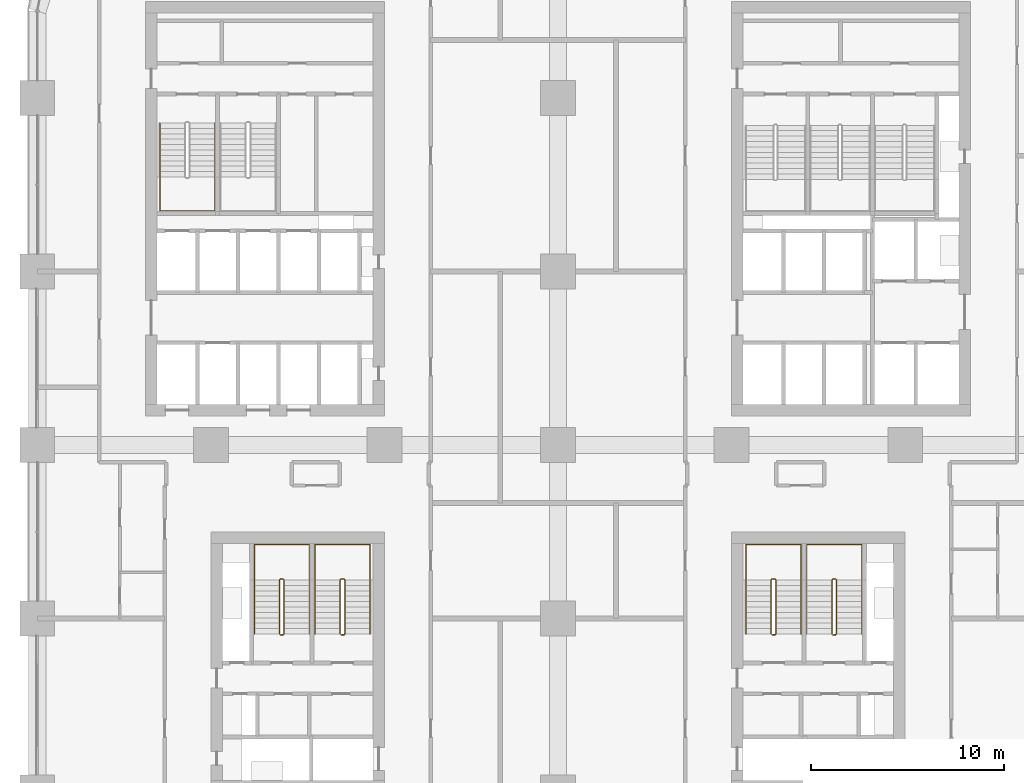
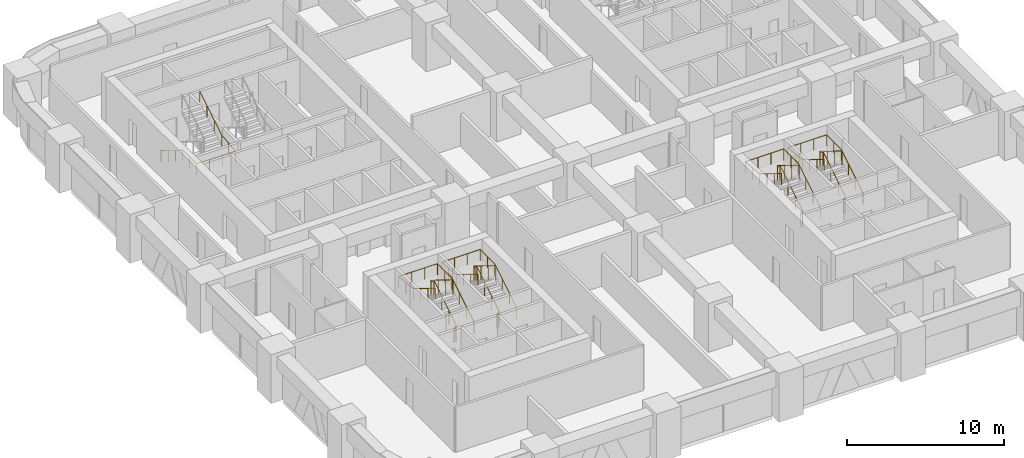
# One storey, part 20 of 21: 9 railings.
"""IFC4 building model written with IfcOpenShell, lengths in metres."""

from ifc_helpers import new_model, si_unit, direction, frame, origin, origin_2d, place, context, subcontext, project, spatial, circle, extrude, material, type_object, element, save


model = new_model("IFC4")

# Units and contexts
model_context = context("Model", 3, precision=1e-05, world=origin(), true_north=direction((0.0, 1.0)))
body_context = subcontext(model_context, "Body", "Model", "MODEL_VIEW")
ifc_project = project(units=[si_unit("LENGTHUNIT", "METRE"), si_unit("AREAUNIT", "SQUARE_METRE"), si_unit("VOLUMEUNIT", "CUBIC_METRE"), si_unit("PLANEANGLEUNIT", "RADIAN"), si_unit("MASSUNIT", "GRAM", prefix="KILO")], contexts=[model_context])

# Site, building, storey
site_placement = place(None, origin())
site = spatial("IfcSite", under=ifc_project, at=site_placement, CompositionType="ELEMENT")
building_placement = place(site_placement, origin())
building = spatial("IfcBuilding", under=site, at=building_placement, Name="Tessera Arch", CompositionType="ELEMENT")
storey_placement = place(building_placement, frame((0.0, 0.0, 65.199951171875)))
storey = spatial("IfcBuildingStorey", under=building, at=storey_placement, Name="L14", CompositionType="ELEMENT", Elevation=65.199951171875)

# Railings
ifc_material_1 = material(Name="Painted steel balustrade", Category="steel")
railing_type_1 = type_object("IfcRailingType", Name="Stair guard 1100", PredefinedType="GUARDRAIL", material=ifc_material_1)
railing_1_placement = place(storey_placement, frame((38.25, 17.14990234375, 0.0)))
element("IfcRailing", 1, at=railing_1_placement, inside=storey, type_object=railing_type_1, Name="L14 S3a stair guard 1", PredefinedType="GUARDRAIL", context=body_context, shape_type="SweptSolid", body=[
    extrude(circle(Radius=0.02392578125, at=origin_2d()), frame((0.00390625, 0.0, 1.076171875), z_axis=(-1.0, 0.0, 0.0), x_axis=(0.0, -1.0, 0.0)), (0.0, 0.0, 1.0), 0.157958984375),
    extrude(circle(Radius=0.02392578125, at=origin_2d()), frame((-0.15283203125, -0.000732421875, 1.073486328125), z_axis=(0.743302536996, 0.186052527575, 0.642561900114), x_axis=(-0.242814311512, 0.970072785993, 0.0)), (0.0, 0.0, 1.0), 0.277099609375),
    extrude(circle(Radius=0.02392578125, at=origin_2d()), frame((0.050048828125, 0.046630859375, 1.246826171875), z_axis=(0.0, 0.851089632645, 0.525020415988), x_axis=(-1.0, 0.0, 0.0)), (0.0, 0.0, 1.0), 3.2978515625),
    extrude(circle(Radius=0.02392578125, at=origin_2d()), frame((0.052978515625, 2.84716796875, 2.97607421875), z_axis=(-0.707106781187, 0.707106781187, 0.0), x_axis=(-0.707106781187, -0.707106781187, 0.0)), (0.0, 0.0, 1.0), 0.078857421875),
    extrude(circle(Radius=0.02392578125, at=origin_2d()), frame((0.00390625, 2.900146484375, 2.97607421875), z_axis=(-1.0, 0.0, 0.0), x_axis=(0.0, -1.0, 0.0)), (0.0, 0.0, 1.0), 0.157958984375),
    extrude(circle(Radius=0.02392578125, at=origin_2d()), frame((-0.14892578125, 2.901123046875, 2.972412109375), z_axis=(-0.268277960024, -0.268277960024, 0.925231793839), x_axis=(0.707106781187, -0.707106781187, 0.0)), (0.0, 0.0, 1.0), 0.194580078125),
    extrude(circle(Radius=0.02392578125, at=origin_2d()), frame((-0.199951171875, 2.853515625, 3.146728515625), z_axis=(0.0, -0.851089632645, 0.525020415988), x_axis=(1.0, 0.0, 0.0)), (0.0, 0.0, 1.0), 3.2978515625),
    extrude(circle(Radius=0.02099609375, at=origin_2d()), origin(), (0.0, 0.0, 1.0), 1.06396484375),
    extrude(circle(Radius=0.02099609375, at=origin_2d()), frame((-0.14990234375, 0.0, 0.0)), (0.0, 0.0, 1.0), 1.06396484375),
    extrude(circle(Radius=0.02099609375, at=origin_2d()), frame((0.050048828125, 0.050048828125, 0.1728515625)), (0.0, 0.0, 1.0), 1.06396484375),
    extrude(circle(Radius=0.02099609375, at=origin_2d()), frame((0.050048828125, 0.9833984375, 0.74853515625)), (0.0, 0.0, 1.0), 1.06396484375),
    extrude(circle(Radius=0.02099609375, at=origin_2d()), frame((0.050048828125, 1.916748046875, 1.324462890625)), (0.0, 0.0, 1.0), 1.06396484375),
    extrude(circle(Radius=0.02099609375, at=origin_2d()), frame((0.050048828125, 2.85009765625, 1.900146484375)), (0.0, 0.0, 1.0), 1.06396484375),
    extrude(circle(Radius=0.02099609375, at=origin_2d()), frame((0.0, 2.900146484375, 1.900146484375)), (0.0, 0.0, 1.0), 1.06396484375),
    extrude(circle(Radius=0.02099609375, at=origin_2d()), frame((-0.14990234375, 2.900146484375, 1.900146484375)), (0.0, 0.0, 1.0), 1.06396484375),
    extrude(circle(Radius=0.02099609375, at=origin_2d()), frame((-0.199951171875, 2.85009765625, 2.07275390625)), (0.0, 0.0, 1.0), 1.06396484375),
    extrude(circle(Radius=0.02099609375, at=origin_2d()), frame((-0.199951171875, 1.916748046875, 2.6484375)), (0.0, 0.0, 1.0), 1.06396484375),
    extrude(circle(Radius=0.02099609375, at=origin_2d()), frame((-0.199951171875, 0.9833984375, 3.224365234375)), (0.0, 0.0, 1.0), 1.06396484375),
    extrude(circle(Radius=0.02099609375, at=origin_2d()), frame((-0.199951171875, 0.050048828125, 3.800048828125)), (0.0, 0.0, 1.0), 1.06396484375),
])
railing_2_placement = place(storey_placement, frame((41.39990234375, 17.14990234375, 0.0)))
element("IfcRailing", 2, at=railing_2_placement, inside=storey, type_object=railing_type_1, Name="L14 S3b stair guard 1", PredefinedType="GUARDRAIL", context=body_context, shape_type="SweptSolid", body=[
    extrude(circle(Radius=0.02392578125, at=origin_2d()), frame((0.00390625, 0.0, 1.076171875), z_axis=(-1.0, 0.0, 0.0), x_axis=(0.0, -1.0, 0.0)), (0.0, 0.0, 1.0), 0.157958984375),
    extrude(circle(Radius=0.02392578125, at=origin_2d()), frame((-0.15283203125, -0.000732421875, 1.073486328125), z_axis=(0.743302536996, 0.186052527575, 0.642561900114), x_axis=(-0.242814311512, 0.970072785993, 0.0)), (0.0, 0.0, 1.0), 0.277099609375),
    extrude(circle(Radius=0.02392578125, at=origin_2d()), frame((0.050048828125, 0.046630859375, 1.246826171875), z_axis=(0.0, 0.851089632645, 0.525020415988), x_axis=(-1.0, 0.0, 0.0)), (0.0, 0.0, 1.0), 3.2978515625),
    extrude(circle(Radius=0.02392578125, at=origin_2d()), frame((0.052978515625, 2.84716796875, 2.97607421875), z_axis=(-0.707106781187, 0.707106781187, 0.0), x_axis=(-0.707106781187, -0.707106781187, 0.0)), (0.0, 0.0, 1.0), 0.078857421875),
    extrude(circle(Radius=0.02392578125, at=origin_2d()), frame((0.00390625, 2.900146484375, 2.97607421875), z_axis=(-1.0, 0.0, 0.0), x_axis=(0.0, -1.0, 0.0)), (0.0, 0.0, 1.0), 0.157958984375),
    extrude(circle(Radius=0.02392578125, at=origin_2d()), frame((-0.14892578125, 2.901123046875, 2.972412109375), z_axis=(-0.268277960024, -0.268277960024, 0.925231793839), x_axis=(0.707106781187, -0.707106781187, 0.0)), (0.0, 0.0, 1.0), 0.194580078125),
    extrude(circle(Radius=0.02392578125, at=origin_2d()), frame((-0.199951171875, 2.853515625, 3.146728515625), z_axis=(0.0, -0.851089632645, 0.525020415988), x_axis=(1.0, 0.0, 0.0)), (0.0, 0.0, 1.0), 3.2978515625),
    extrude(circle(Radius=0.02099609375, at=origin_2d()), origin(), (0.0, 0.0, 1.0), 1.06396484375),
    extrude(circle(Radius=0.02099609375, at=origin_2d()), frame((-0.14990234375, 0.0, 0.0)), (0.0, 0.0, 1.0), 1.06396484375),
    extrude(circle(Radius=0.02099609375, at=origin_2d()), frame((0.050048828125, 0.050048828125, 0.1728515625)), (0.0, 0.0, 1.0), 1.06396484375),
    extrude(circle(Radius=0.02099609375, at=origin_2d()), frame((0.050048828125, 0.9833984375, 0.74853515625)), (0.0, 0.0, 1.0), 1.06396484375),
    extrude(circle(Radius=0.02099609375, at=origin_2d()), frame((0.050048828125, 1.916748046875, 1.324462890625)), (0.0, 0.0, 1.0), 1.06396484375),
    extrude(circle(Radius=0.02099609375, at=origin_2d()), frame((0.050048828125, 2.85009765625, 1.900146484375)), (0.0, 0.0, 1.0), 1.06396484375),
    extrude(circle(Radius=0.02099609375, at=origin_2d()), frame((0.0, 2.900146484375, 1.900146484375)), (0.0, 0.0, 1.0), 1.06396484375),
    extrude(circle(Radius=0.02099609375, at=origin_2d()), frame((-0.14990234375, 2.900146484375, 1.900146484375)), (0.0, 0.0, 1.0), 1.06396484375),
    extrude(circle(Radius=0.02099609375, at=origin_2d()), frame((-0.199951171875, 2.85009765625, 2.07275390625)), (0.0, 0.0, 1.0), 1.06396484375),
    extrude(circle(Radius=0.02099609375, at=origin_2d()), frame((-0.199951171875, 1.916748046875, 2.6484375)), (0.0, 0.0, 1.0), 1.06396484375),
    extrude(circle(Radius=0.02099609375, at=origin_2d()), frame((-0.199951171875, 0.9833984375, 3.224365234375)), (0.0, 0.0, 1.0), 1.06396484375),
    extrude(circle(Radius=0.02099609375, at=origin_2d()), frame((-0.199951171875, 0.050048828125, 3.800048828125)), (0.0, 0.0, 1.0), 1.06396484375),
])
railing_3_placement = place(storey_placement, frame((15.89990234375, 17.14990234375, 0.0)))
element("IfcRailing", 3, at=railing_3_placement, inside=storey, type_object=railing_type_1, Name="L14 S4a stair guard 1", PredefinedType="GUARDRAIL", context=body_context, shape_type="SweptSolid", body=[
    extrude(circle(Radius=0.02392578125, at=origin_2d()), frame((0.00390625, 0.0, 1.076171875), z_axis=(-1.0, 0.0, 0.0), x_axis=(0.0, -1.0, 0.0)), (0.0, 0.0, 1.0), 0.157958984375),
    extrude(circle(Radius=0.02392578125, at=origin_2d()), frame((-0.15283203125, -0.000732421875, 1.073486328125), z_axis=(0.743302536996, 0.186052527575, 0.642561900114), x_axis=(-0.242814311512, 0.970072785993, 0.0)), (0.0, 0.0, 1.0), 0.277099609375),
    extrude(circle(Radius=0.02392578125, at=origin_2d()), frame((0.050048828125, 0.046630859375, 1.246826171875), z_axis=(0.0, 0.851089632645, 0.525020415988), x_axis=(-1.0, 0.0, 0.0)), (0.0, 0.0, 1.0), 3.2978515625),
    extrude(circle(Radius=0.02392578125, at=origin_2d()), frame((0.052978515625, 2.84716796875, 2.97607421875), z_axis=(-0.707106781187, 0.707106781187, 0.0), x_axis=(-0.707106781187, -0.707106781187, 0.0)), (0.0, 0.0, 1.0), 0.078857421875),
    extrude(circle(Radius=0.02392578125, at=origin_2d()), frame((0.00390625, 2.900146484375, 2.97607421875), z_axis=(-1.0, 0.0, 0.0), x_axis=(0.0, -1.0, 0.0)), (0.0, 0.0, 1.0), 0.157958984375),
    extrude(circle(Radius=0.02392578125, at=origin_2d()), frame((-0.14892578125, 2.901123046875, 2.972412109375), z_axis=(-0.268277960024, -0.268277960024, 0.925231793839), x_axis=(0.707106781187, -0.707106781187, 0.0)), (0.0, 0.0, 1.0), 0.194580078125),
    extrude(circle(Radius=0.02392578125, at=origin_2d()), frame((-0.199951171875, 2.853515625, 3.146728515625), z_axis=(0.0, -0.851089632645, 0.525020415988), x_axis=(1.0, 0.0, 0.0)), (0.0, 0.0, 1.0), 3.2978515625),
    extrude(circle(Radius=0.02099609375, at=origin_2d()), origin(), (0.0, 0.0, 1.0), 1.06396484375),
    extrude(circle(Radius=0.02099609375, at=origin_2d()), frame((-0.14990234375, 0.0, 0.0)), (0.0, 0.0, 1.0), 1.06396484375),
    extrude(circle(Radius=0.02099609375, at=origin_2d()), frame((0.050048828125, 0.050048828125, 0.1728515625)), (0.0, 0.0, 1.0), 1.06396484375),
    extrude(circle(Radius=0.02099609375, at=origin_2d()), frame((0.050048828125, 0.9833984375, 0.74853515625)), (0.0, 0.0, 1.0), 1.06396484375),
    extrude(circle(Radius=0.02099609375, at=origin_2d()), frame((0.050048828125, 1.916748046875, 1.324462890625)), (0.0, 0.0, 1.0), 1.06396484375),
    extrude(circle(Radius=0.02099609375, at=origin_2d()), frame((0.050048828125, 2.85009765625, 1.900146484375)), (0.0, 0.0, 1.0), 1.06396484375),
    extrude(circle(Radius=0.02099609375, at=origin_2d()), frame((0.0, 2.900146484375, 1.900146484375)), (0.0, 0.0, 1.0), 1.06396484375),
    extrude(circle(Radius=0.02099609375, at=origin_2d()), frame((-0.14990234375, 2.900146484375, 1.900146484375)), (0.0, 0.0, 1.0), 1.06396484375),
    extrude(circle(Radius=0.02099609375, at=origin_2d()), frame((-0.199951171875, 2.85009765625, 2.07275390625)), (0.0, 0.0, 1.0), 1.06396484375),
    extrude(circle(Radius=0.02099609375, at=origin_2d()), frame((-0.199951171875, 1.916748046875, 2.6484375)), (0.0, 0.0, 1.0), 1.06396484375),
    extrude(circle(Radius=0.02099609375, at=origin_2d()), frame((-0.199951171875, 0.9833984375, 3.224365234375)), (0.0, 0.0, 1.0), 1.06396484375),
    extrude(circle(Radius=0.02099609375, at=origin_2d()), frame((-0.199951171875, 0.050048828125, 3.800048828125)), (0.0, 0.0, 1.0), 1.06396484375),
])
railing_4_placement = place(storey_placement, frame((12.75, 17.14990234375, 0.0)))
element("IfcRailing", 4, at=railing_4_placement, inside=storey, type_object=railing_type_1, Name="L14 S4b stair guard 1", PredefinedType="GUARDRAIL", context=body_context, shape_type="SweptSolid", body=[
    extrude(circle(Radius=0.02392578125, at=origin_2d()), frame((0.00390625, 0.0, 1.076171875), z_axis=(-1.0, 0.0, 0.0), x_axis=(0.0, -1.0, 0.0)), (0.0, 0.0, 1.0), 0.157958984375),
    extrude(circle(Radius=0.02392578125, at=origin_2d()), frame((-0.15283203125, -0.000732421875, 1.073486328125), z_axis=(0.743302536996, 0.186052527575, 0.642561900114), x_axis=(-0.242814311512, 0.970072785993, 0.0)), (0.0, 0.0, 1.0), 0.277099609375),
    extrude(circle(Radius=0.02392578125, at=origin_2d()), frame((0.050048828125, 0.046630859375, 1.246826171875), z_axis=(0.0, 0.851089632645, 0.525020415988), x_axis=(-1.0, 0.0, 0.0)), (0.0, 0.0, 1.0), 3.2978515625),
    extrude(circle(Radius=0.02392578125, at=origin_2d()), frame((0.052978515625, 2.84716796875, 2.97607421875), z_axis=(-0.707106781187, 0.707106781187, 0.0), x_axis=(-0.707106781187, -0.707106781187, 0.0)), (0.0, 0.0, 1.0), 0.078857421875),
    extrude(circle(Radius=0.02392578125, at=origin_2d()), frame((0.00390625, 2.900146484375, 2.97607421875), z_axis=(-1.0, 0.0, 0.0), x_axis=(0.0, -1.0, 0.0)), (0.0, 0.0, 1.0), 0.157958984375),
    extrude(circle(Radius=0.02392578125, at=origin_2d()), frame((-0.14892578125, 2.901123046875, 2.972412109375), z_axis=(-0.268277960024, -0.268277960024, 0.925231793839), x_axis=(0.707106781187, -0.707106781187, 0.0)), (0.0, 0.0, 1.0), 0.194580078125),
    extrude(circle(Radius=0.02392578125, at=origin_2d()), frame((-0.199951171875, 2.853515625, 3.146728515625), z_axis=(0.0, -0.851089632645, 0.525020415988), x_axis=(1.0, 0.0, 0.0)), (0.0, 0.0, 1.0), 3.2978515625),
    extrude(circle(Radius=0.02099609375, at=origin_2d()), origin(), (0.0, 0.0, 1.0), 1.06396484375),
    extrude(circle(Radius=0.02099609375, at=origin_2d()), frame((-0.14990234375, 0.0, 0.0)), (0.0, 0.0, 1.0), 1.06396484375),
    extrude(circle(Radius=0.02099609375, at=origin_2d()), frame((0.050048828125, 0.050048828125, 0.1728515625)), (0.0, 0.0, 1.0), 1.06396484375),
    extrude(circle(Radius=0.02099609375, at=origin_2d()), frame((0.050048828125, 0.9833984375, 0.74853515625)), (0.0, 0.0, 1.0), 1.06396484375),
    extrude(circle(Radius=0.02099609375, at=origin_2d()), frame((0.050048828125, 1.916748046875, 1.324462890625)), (0.0, 0.0, 1.0), 1.06396484375),
    extrude(circle(Radius=0.02099609375, at=origin_2d()), frame((0.050048828125, 2.85009765625, 1.900146484375)), (0.0, 0.0, 1.0), 1.06396484375),
    extrude(circle(Radius=0.02099609375, at=origin_2d()), frame((0.0, 2.900146484375, 1.900146484375)), (0.0, 0.0, 1.0), 1.06396484375),
    extrude(circle(Radius=0.02099609375, at=origin_2d()), frame((-0.14990234375, 2.900146484375, 1.900146484375)), (0.0, 0.0, 1.0), 1.06396484375),
    extrude(circle(Radius=0.02099609375, at=origin_2d()), frame((-0.199951171875, 2.85009765625, 2.07275390625)), (0.0, 0.0, 1.0), 1.06396484375),
    extrude(circle(Radius=0.02099609375, at=origin_2d()), frame((-0.199951171875, 1.916748046875, 2.6484375)), (0.0, 0.0, 1.0), 1.06396484375),
    extrude(circle(Radius=0.02099609375, at=origin_2d()), frame((-0.199951171875, 0.9833984375, 3.224365234375)), (0.0, 0.0, 1.0), 1.06396484375),
    extrude(circle(Radius=0.02099609375, at=origin_2d()), frame((-0.199951171875, 0.050048828125, 3.800048828125)), (0.0, 0.0, 1.0), 1.06396484375),
])
ifc_material_2 = material(Name="Painted steel handrail", Category="steel")
railing_type_2 = type_object("IfcRailingType", Name="Stair handrail 900", PredefinedType="HANDRAIL", material=ifc_material_2)
railing_5_placement = place(storey_placement, frame((6.35009765625, 43.699951171875, 0.1728515625)))
element("IfcRailing", 5, at=railing_5_placement, inside=storey, type_object=railing_type_2, Name="L14 S2a stair handrail", PredefinedType="HANDRAIL", context=body_context, shape_type="SweptSolid", body=[
    extrude(circle(Radius=0.02392578125, at=origin_2d()), frame((0.0, 0.00341796875, 0.873779296875), z_axis=(0.0, -0.851089632645, 0.525020415988), x_axis=(1.0, 0.0, 0.0)), (0.0, 0.0, 1.0), 3.2978515625),
    extrude(circle(Radius=0.02392578125, at=origin_2d()), frame((0.0, -2.796142578125, 2.60302734375), z_axis=(0.0, -1.0, 0.0), x_axis=(1.0, 0.0, 0.0)), (0.0, 0.0, 1.0), 1.758056640625),
    extrude(circle(Radius=0.02392578125, at=origin_2d()), frame((-0.00390625, -4.550048828125, 2.60302734375), z_axis=(1.0, 0.0, 0.0), x_axis=(0.0, 1.0, 0.0)), (0.0, 0.0, 1.0), 2.85791015625),
    extrude(circle(Radius=0.02392578125, at=origin_2d()), frame((2.849853515625, -4.553955078125, 2.602783203125), z_axis=(0.0, 0.995170989745, 0.098156513637), x_axis=(-1.0, 0.0, 0.0)), (0.0, 0.0, 1.0), 1.7666015625),
    extrude(circle(Radius=0.02392578125, at=origin_2d()), frame((2.849853515625, -2.803466796875, 2.773681640625), z_axis=(0.0, 0.851089632645, 0.525020415988), x_axis=(-1.0, 0.0, 0.0)), (0.0, 0.0, 1.0), 3.2978515625),
    extrude(circle(Radius=0.02099609375, at=origin_2d()), origin(), (0.0, 0.0, 1.0), 0.86376953125),
    extrude(circle(Radius=0.02099609375, at=origin_2d()), frame((0.0, -0.933349609375, 0.57568359375)), (0.0, 0.0, 1.0), 0.86376953125),
    extrude(circle(Radius=0.02099609375, at=origin_2d()), frame((0.0, -1.86669921875, 1.151611328125)), (0.0, 0.0, 1.0), 0.86376953125),
    extrude(circle(Radius=0.02099609375, at=origin_2d()), frame((0.0, -2.800048828125, 1.727294921875)), (0.0, 0.0, 1.0), 0.86376953125),
    extrude(circle(Radius=0.02099609375, at=origin_2d()), frame((0.0, -3.675048828125, 1.727294921875)), (0.0, 0.0, 1.0), 0.86376953125),
    extrude(circle(Radius=0.02099609375, at=origin_2d()), frame((0.0, -4.550048828125, 1.727294921875)), (0.0, 0.0, 1.0), 0.86376953125),
    extrude(circle(Radius=0.02099609375, at=origin_2d()), frame((0.949951171875, -4.550048828125, 1.727294921875)), (0.0, 0.0, 1.0), 0.86376953125),
    extrude(circle(Radius=0.02099609375, at=origin_2d()), frame((1.89990234375, -4.550048828125, 1.727294921875)), (0.0, 0.0, 1.0), 0.86376953125),
    extrude(circle(Radius=0.02099609375, at=origin_2d()), frame((2.849853515625, -4.550048828125, 1.727294921875)), (0.0, 0.0, 1.0), 0.86376953125),
    extrude(circle(Radius=0.02099609375, at=origin_2d()), frame((2.849853515625, -3.675048828125, 1.8134765625)), (0.0, 0.0, 1.0), 0.86376953125),
    extrude(circle(Radius=0.02099609375, at=origin_2d()), frame((2.849853515625, -2.800048828125, 1.89990234375)), (0.0, 0.0, 1.0), 0.86376953125),
    extrude(circle(Radius=0.02099609375, at=origin_2d()), frame((2.849853515625, -1.86669921875, 2.4755859375)), (0.0, 0.0, 1.0), 0.86376953125),
    extrude(circle(Radius=0.02099609375, at=origin_2d()), frame((2.849853515625, -0.933349609375, 3.051513671875)), (0.0, 0.0, 1.0), 0.86376953125),
    extrude(circle(Radius=0.02099609375, at=origin_2d()), frame((2.849853515625, 0.0, 3.627197265625)), (0.0, 0.0, 1.0), 0.86376953125),
])
railing_6_placement = place(storey_placement, frame((39.60009765625, 17.199951171875, 0.1728515625)))
element("IfcRailing", 6, at=railing_6_placement, inside=storey, type_object=railing_type_2, Name="L14 S3a stair handrail", PredefinedType="HANDRAIL", context=body_context, shape_type="SweptSolid", body=[
    extrude(circle(Radius=0.02392578125, at=origin_2d()), frame((0.0, -0.00341796875, 0.873779296875), z_axis=(0.0, 0.851089632645, 0.525020415988), x_axis=(-1.0, 0.0, 0.0)), (0.0, 0.0, 1.0), 3.2978515625),
    extrude(circle(Radius=0.02392578125, at=origin_2d()), frame((0.0, 2.796142578125, 2.60302734375), z_axis=(0.0, 1.0, 0.0), x_axis=(-1.0, 0.0, 0.0)), (0.0, 0.0, 1.0), 1.858154296875),
    extrude(circle(Radius=0.02392578125, at=origin_2d()), frame((0.00390625, 4.650146484375, 2.60302734375), z_axis=(-1.0, 0.0, 0.0), x_axis=(0.0, -1.0, 0.0)), (0.0, 0.0, 1.0), 2.858154296875),
    extrude(circle(Radius=0.02392578125, at=origin_2d()), frame((-2.85009765625, 4.654052734375, 2.602783203125), z_axis=(0.0, -0.995676099079, 0.092892979948), x_axis=(1.0, 0.0, 0.0)), (0.0, 0.0, 1.0), 1.8662109375),
    extrude(circle(Radius=0.02392578125, at=origin_2d()), frame((-2.85009765625, 2.803466796875, 2.773681640625), z_axis=(0.0, -0.851089632645, 0.525020415988), x_axis=(1.0, 0.0, 0.0)), (0.0, 0.0, 1.0), 3.2978515625),
    extrude(circle(Radius=0.02099609375, at=origin_2d()), origin(), (0.0, 0.0, 1.0), 0.86376953125),
    extrude(circle(Radius=0.02099609375, at=origin_2d()), frame((0.0, 0.933349609375, 0.57568359375)), (0.0, 0.0, 1.0), 0.86376953125),
    extrude(circle(Radius=0.02099609375, at=origin_2d()), frame((0.0, 1.86669921875, 1.151611328125)), (0.0, 0.0, 1.0), 0.86376953125),
    extrude(circle(Radius=0.02099609375, at=origin_2d()), frame((0.0, 2.800048828125, 1.727294921875)), (0.0, 0.0, 1.0), 0.86376953125),
    extrude(circle(Radius=0.02099609375, at=origin_2d()), frame((0.0, 3.72509765625, 1.727294921875)), (0.0, 0.0, 1.0), 0.86376953125),
    extrude(circle(Radius=0.02099609375, at=origin_2d()), frame((0.0, 4.650146484375, 1.727294921875)), (0.0, 0.0, 1.0), 0.86376953125),
    extrude(circle(Radius=0.02099609375, at=origin_2d()), frame((-0.949951171875, 4.650146484375, 1.727294921875)), (0.0, 0.0, 1.0), 0.86376953125),
    extrude(circle(Radius=0.02099609375, at=origin_2d()), frame((-1.900146484375, 4.650146484375, 1.727294921875)), (0.0, 0.0, 1.0), 0.86376953125),
    extrude(circle(Radius=0.02099609375, at=origin_2d()), frame((-2.85009765625, 4.650146484375, 1.727294921875)), (0.0, 0.0, 1.0), 0.86376953125),
    extrude(circle(Radius=0.02099609375, at=origin_2d()), frame((-2.85009765625, 3.72509765625, 1.8134765625)), (0.0, 0.0, 1.0), 0.86376953125),
    extrude(circle(Radius=0.02099609375, at=origin_2d()), frame((-2.85009765625, 2.800048828125, 1.89990234375)), (0.0, 0.0, 1.0), 0.86376953125),
    extrude(circle(Radius=0.02099609375, at=origin_2d()), frame((-2.85009765625, 1.86669921875, 2.4755859375)), (0.0, 0.0, 1.0), 0.86376953125),
    extrude(circle(Radius=0.02099609375, at=origin_2d()), frame((-2.85009765625, 0.933349609375, 3.051513671875)), (0.0, 0.0, 1.0), 0.86376953125),
    extrude(circle(Radius=0.02099609375, at=origin_2d()), frame((-2.85009765625, 0.0, 3.627197265625)), (0.0, 0.0, 1.0), 0.86376953125),
])
railing_7_placement = place(storey_placement, frame((42.75, 17.199951171875, 0.1728515625)))
element("IfcRailing", 7, at=railing_7_placement, inside=storey, type_object=railing_type_2, Name="L14 S3b stair handrail", PredefinedType="HANDRAIL", context=body_context, shape_type="SweptSolid", body=[
    extrude(circle(Radius=0.02392578125, at=origin_2d()), frame((0.0, -0.00341796875, 0.873779296875), z_axis=(0.0, 0.851089632645, 0.525020415988), x_axis=(-1.0, 0.0, 0.0)), (0.0, 0.0, 1.0), 3.2978515625),
    extrude(circle(Radius=0.02392578125, at=origin_2d()), frame((0.0, 2.796142578125, 2.60302734375), z_axis=(0.0, 1.0, 0.0), x_axis=(-1.0, 0.0, 0.0)), (0.0, 0.0, 1.0), 1.858154296875),
    extrude(circle(Radius=0.02392578125, at=origin_2d()), frame((0.00390625, 4.650146484375, 2.60302734375), z_axis=(-1.0, 0.0, 0.0), x_axis=(0.0, -1.0, 0.0)), (0.0, 0.0, 1.0), 2.858154296875),
    extrude(circle(Radius=0.02392578125, at=origin_2d()), frame((-2.85009765625, 4.654052734375, 2.602783203125), z_axis=(0.0, -0.995676099079, 0.092892979948), x_axis=(1.0, 0.0, 0.0)), (0.0, 0.0, 1.0), 1.8662109375),
    extrude(circle(Radius=0.02392578125, at=origin_2d()), frame((-2.85009765625, 2.803466796875, 2.773681640625), z_axis=(0.0, -0.851089632645, 0.525020415988), x_axis=(1.0, 0.0, 0.0)), (0.0, 0.0, 1.0), 3.2978515625),
    extrude(circle(Radius=0.02099609375, at=origin_2d()), origin(), (0.0, 0.0, 1.0), 0.86376953125),
    extrude(circle(Radius=0.02099609375, at=origin_2d()), frame((0.0, 0.933349609375, 0.57568359375)), (0.0, 0.0, 1.0), 0.86376953125),
    extrude(circle(Radius=0.02099609375, at=origin_2d()), frame((0.0, 1.86669921875, 1.151611328125)), (0.0, 0.0, 1.0), 0.86376953125),
    extrude(circle(Radius=0.02099609375, at=origin_2d()), frame((0.0, 2.800048828125, 1.727294921875)), (0.0, 0.0, 1.0), 0.86376953125),
    extrude(circle(Radius=0.02099609375, at=origin_2d()), frame((0.0, 3.72509765625, 1.727294921875)), (0.0, 0.0, 1.0), 0.86376953125),
    extrude(circle(Radius=0.02099609375, at=origin_2d()), frame((0.0, 4.650146484375, 1.727294921875)), (0.0, 0.0, 1.0), 0.86376953125),
    extrude(circle(Radius=0.02099609375, at=origin_2d()), frame((-0.949951171875, 4.650146484375, 1.727294921875)), (0.0, 0.0, 1.0), 0.86376953125),
    extrude(circle(Radius=0.02099609375, at=origin_2d()), frame((-1.900146484375, 4.650146484375, 1.727294921875)), (0.0, 0.0, 1.0), 0.86376953125),
    extrude(circle(Radius=0.02099609375, at=origin_2d()), frame((-2.85009765625, 4.650146484375, 1.727294921875)), (0.0, 0.0, 1.0), 0.86376953125),
    extrude(circle(Radius=0.02099609375, at=origin_2d()), frame((-2.85009765625, 3.72509765625, 1.8134765625)), (0.0, 0.0, 1.0), 0.86376953125),
    extrude(circle(Radius=0.02099609375, at=origin_2d()), frame((-2.85009765625, 2.800048828125, 1.89990234375)), (0.0, 0.0, 1.0), 0.86376953125),
    extrude(circle(Radius=0.02099609375, at=origin_2d()), frame((-2.85009765625, 1.86669921875, 2.4755859375)), (0.0, 0.0, 1.0), 0.86376953125),
    extrude(circle(Radius=0.02099609375, at=origin_2d()), frame((-2.85009765625, 0.933349609375, 3.051513671875)), (0.0, 0.0, 1.0), 0.86376953125),
    extrude(circle(Radius=0.02099609375, at=origin_2d()), frame((-2.85009765625, 0.0, 3.627197265625)), (0.0, 0.0, 1.0), 0.86376953125),
])
railing_8_placement = place(storey_placement, frame((17.25, 17.199951171875, 0.1728515625)))
element("IfcRailing", 8, at=railing_8_placement, inside=storey, type_object=railing_type_2, Name="L14 S4a stair handrail", PredefinedType="HANDRAIL", context=body_context, shape_type="SweptSolid", body=[
    extrude(circle(Radius=0.02392578125, at=origin_2d()), frame((0.0, -0.00341796875, 0.873779296875), z_axis=(0.0, 0.851089632645, 0.525020415988), x_axis=(-1.0, 0.0, 0.0)), (0.0, 0.0, 1.0), 3.2978515625),
    extrude(circle(Radius=0.02392578125, at=origin_2d()), frame((0.0, 2.796142578125, 2.60302734375), z_axis=(0.0, 1.0, 0.0), x_axis=(-1.0, 0.0, 0.0)), (0.0, 0.0, 1.0), 1.858154296875),
    extrude(circle(Radius=0.02392578125, at=origin_2d()), frame((0.00390625, 4.650146484375, 2.60302734375), z_axis=(-1.0, 0.0, 0.0), x_axis=(0.0, -1.0, 0.0)), (0.0, 0.0, 1.0), 2.858154296875),
    extrude(circle(Radius=0.02392578125, at=origin_2d()), frame((-2.85009765625, 4.654052734375, 2.602783203125), z_axis=(0.0, -0.995676099079, 0.092892979948), x_axis=(1.0, 0.0, 0.0)), (0.0, 0.0, 1.0), 1.8662109375),
    extrude(circle(Radius=0.02392578125, at=origin_2d()), frame((-2.85009765625, 2.803466796875, 2.773681640625), z_axis=(0.0, -0.851089632645, 0.525020415988), x_axis=(1.0, 0.0, 0.0)), (0.0, 0.0, 1.0), 3.2978515625),
    extrude(circle(Radius=0.02099609375, at=origin_2d()), origin(), (0.0, 0.0, 1.0), 0.86376953125),
    extrude(circle(Radius=0.02099609375, at=origin_2d()), frame((0.0, 0.933349609375, 0.57568359375)), (0.0, 0.0, 1.0), 0.86376953125),
    extrude(circle(Radius=0.02099609375, at=origin_2d()), frame((0.0, 1.86669921875, 1.151611328125)), (0.0, 0.0, 1.0), 0.86376953125),
    extrude(circle(Radius=0.02099609375, at=origin_2d()), frame((0.0, 2.800048828125, 1.727294921875)), (0.0, 0.0, 1.0), 0.86376953125),
    extrude(circle(Radius=0.02099609375, at=origin_2d()), frame((0.0, 3.72509765625, 1.727294921875)), (0.0, 0.0, 1.0), 0.86376953125),
    extrude(circle(Radius=0.02099609375, at=origin_2d()), frame((0.0, 4.650146484375, 1.727294921875)), (0.0, 0.0, 1.0), 0.86376953125),
    extrude(circle(Radius=0.02099609375, at=origin_2d()), frame((-0.949951171875, 4.650146484375, 1.727294921875)), (0.0, 0.0, 1.0), 0.86376953125),
    extrude(circle(Radius=0.02099609375, at=origin_2d()), frame((-1.900146484375, 4.650146484375, 1.727294921875)), (0.0, 0.0, 1.0), 0.86376953125),
    extrude(circle(Radius=0.02099609375, at=origin_2d()), frame((-2.85009765625, 4.650146484375, 1.727294921875)), (0.0, 0.0, 1.0), 0.86376953125),
    extrude(circle(Radius=0.02099609375, at=origin_2d()), frame((-2.85009765625, 3.72509765625, 1.8134765625)), (0.0, 0.0, 1.0), 0.86376953125),
    extrude(circle(Radius=0.02099609375, at=origin_2d()), frame((-2.85009765625, 2.800048828125, 1.89990234375)), (0.0, 0.0, 1.0), 0.86376953125),
    extrude(circle(Radius=0.02099609375, at=origin_2d()), frame((-2.85009765625, 1.86669921875, 2.4755859375)), (0.0, 0.0, 1.0), 0.86376953125),
    extrude(circle(Radius=0.02099609375, at=origin_2d()), frame((-2.85009765625, 0.933349609375, 3.051513671875)), (0.0, 0.0, 1.0), 0.86376953125),
    extrude(circle(Radius=0.02099609375, at=origin_2d()), frame((-2.85009765625, 0.0, 3.627197265625)), (0.0, 0.0, 1.0), 0.86376953125),
])
railing_9_placement = place(storey_placement, frame((14.10009765625, 17.199951171875, 0.1728515625)))
element("IfcRailing", 9, at=railing_9_placement, inside=storey, type_object=railing_type_2, Name="L14 S4b stair handrail", PredefinedType="HANDRAIL", context=body_context, shape_type="SweptSolid", body=[
    extrude(circle(Radius=0.02392578125, at=origin_2d()), frame((0.0, -0.00341796875, 0.873779296875), z_axis=(0.0, 0.851089632645, 0.525020415988), x_axis=(-1.0, 0.0, 0.0)), (0.0, 0.0, 1.0), 3.2978515625),
    extrude(circle(Radius=0.02392578125, at=origin_2d()), frame((0.0, 2.796142578125, 2.60302734375), z_axis=(0.0, 1.0, 0.0), x_axis=(-1.0, 0.0, 0.0)), (0.0, 0.0, 1.0), 1.858154296875),
    extrude(circle(Radius=0.02392578125, at=origin_2d()), frame((0.00390625, 4.650146484375, 2.60302734375), z_axis=(-1.0, 0.0, 0.0), x_axis=(0.0, -1.0, 0.0)), (0.0, 0.0, 1.0), 2.858154296875),
    extrude(circle(Radius=0.02392578125, at=origin_2d()), frame((-2.85009765625, 4.654052734375, 2.602783203125), z_axis=(0.0, -0.995676099079, 0.092892979948), x_axis=(1.0, 0.0, 0.0)), (0.0, 0.0, 1.0), 1.8662109375),
    extrude(circle(Radius=0.02392578125, at=origin_2d()), frame((-2.85009765625, 2.803466796875, 2.773681640625), z_axis=(0.0, -0.851089632645, 0.525020415988), x_axis=(1.0, 0.0, 0.0)), (0.0, 0.0, 1.0), 3.2978515625),
    extrude(circle(Radius=0.02099609375, at=origin_2d()), origin(), (0.0, 0.0, 1.0), 0.86376953125),
    extrude(circle(Radius=0.02099609375, at=origin_2d()), frame((0.0, 0.933349609375, 0.57568359375)), (0.0, 0.0, 1.0), 0.86376953125),
    extrude(circle(Radius=0.02099609375, at=origin_2d()), frame((0.0, 1.86669921875, 1.151611328125)), (0.0, 0.0, 1.0), 0.86376953125),
    extrude(circle(Radius=0.02099609375, at=origin_2d()), frame((0.0, 2.800048828125, 1.727294921875)), (0.0, 0.0, 1.0), 0.86376953125),
    extrude(circle(Radius=0.02099609375, at=origin_2d()), frame((0.0, 3.72509765625, 1.727294921875)), (0.0, 0.0, 1.0), 0.86376953125),
    extrude(circle(Radius=0.02099609375, at=origin_2d()), frame((0.0, 4.650146484375, 1.727294921875)), (0.0, 0.0, 1.0), 0.86376953125),
    extrude(circle(Radius=0.02099609375, at=origin_2d()), frame((-0.949951171875, 4.650146484375, 1.727294921875)), (0.0, 0.0, 1.0), 0.86376953125),
    extrude(circle(Radius=0.02099609375, at=origin_2d()), frame((-1.900146484375, 4.650146484375, 1.727294921875)), (0.0, 0.0, 1.0), 0.86376953125),
    extrude(circle(Radius=0.02099609375, at=origin_2d()), frame((-2.85009765625, 4.650146484375, 1.727294921875)), (0.0, 0.0, 1.0), 0.86376953125),
    extrude(circle(Radius=0.02099609375, at=origin_2d()), frame((-2.85009765625, 3.72509765625, 1.8134765625)), (0.0, 0.0, 1.0), 0.86376953125),
    extrude(circle(Radius=0.02099609375, at=origin_2d()), frame((-2.85009765625, 2.800048828125, 1.89990234375)), (0.0, 0.0, 1.0), 0.86376953125),
    extrude(circle(Radius=0.02099609375, at=origin_2d()), frame((-2.85009765625, 1.86669921875, 2.4755859375)), (0.0, 0.0, 1.0), 0.86376953125),
    extrude(circle(Radius=0.02099609375, at=origin_2d()), frame((-2.85009765625, 0.933349609375, 3.051513671875)), (0.0, 0.0, 1.0), 0.86376953125),
    extrude(circle(Radius=0.02099609375, at=origin_2d()), frame((-2.85009765625, 0.0, 3.627197265625)), (0.0, 0.0, 1.0), 0.86376953125),
])

save(model, "model.ifc")
